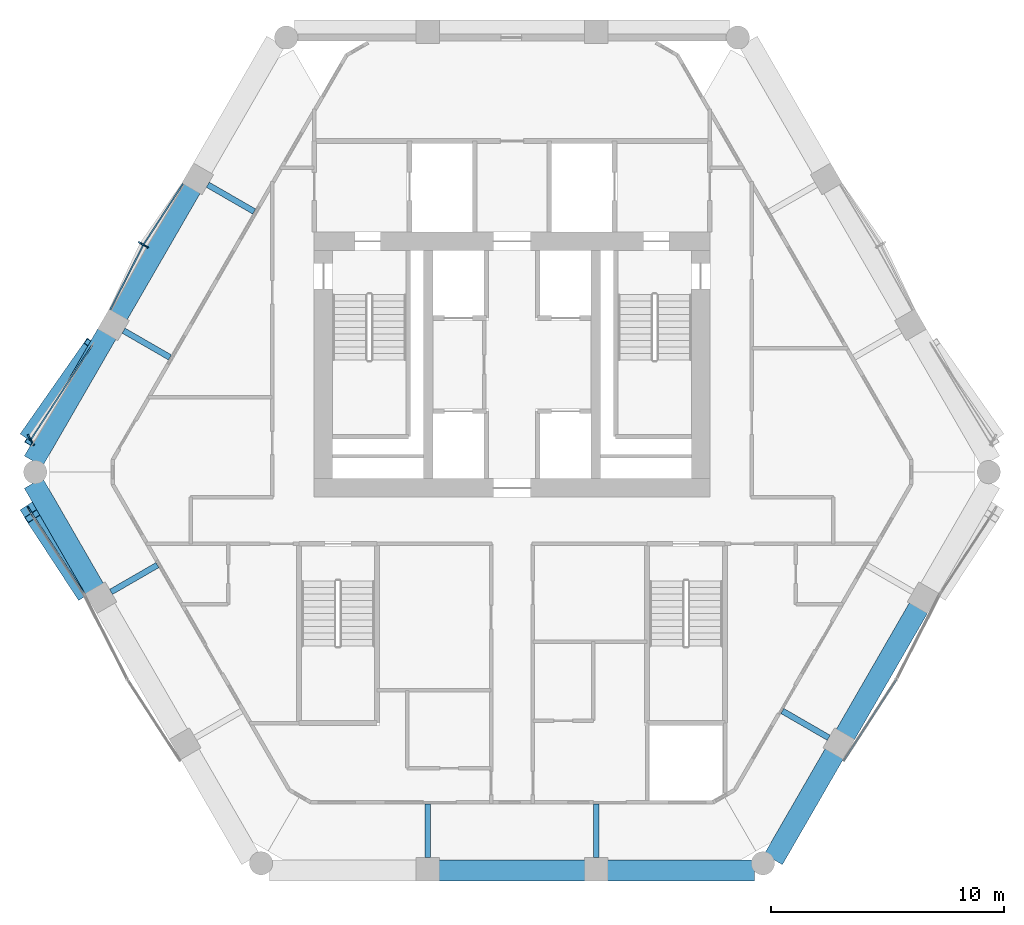
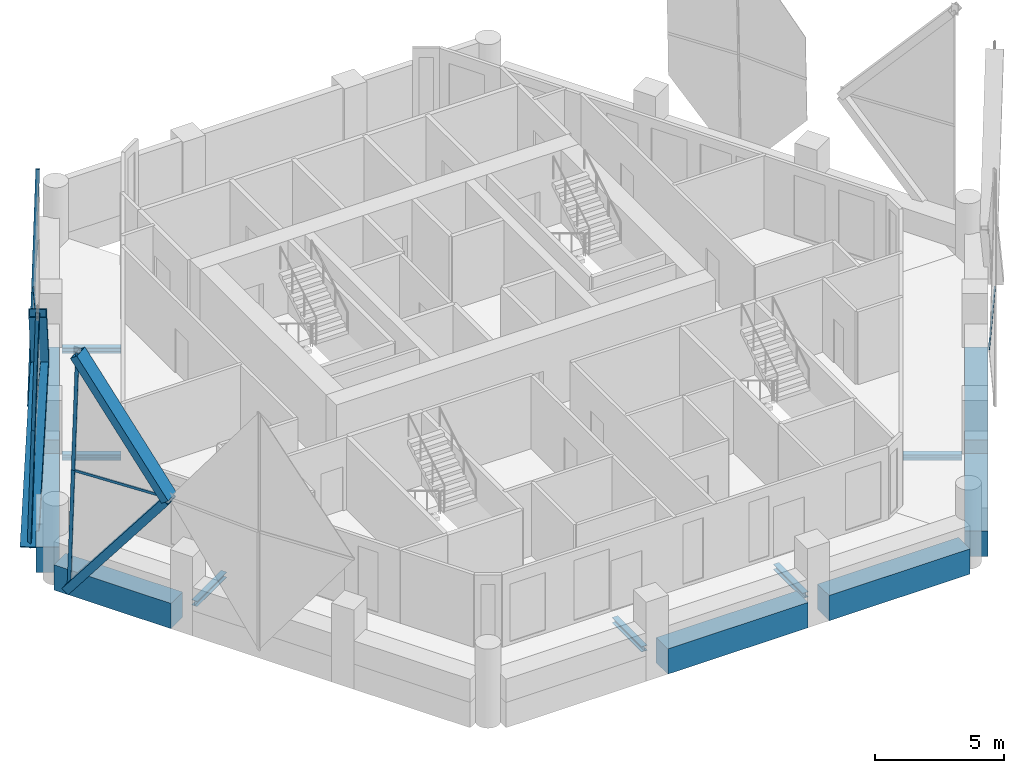
# One storey, part 3 of 13: 15 members, 13 beams, 5 elements without a shape of their own.
"""IFC4 building model written with IfcOpenShell, lengths in metres."""

from ifc_helpers import new_model, si_unit, direction, frame, origin, origin_2d, place, context, subcontext, project, spatial, rectangle, hollow_rectangle, i_section, extrude, material, material_profile, profile_set, type_object, element, aggregate, save


model = new_model("IFC4")

# Units and contexts
model_context = context("Model", 3, precision=1e-05, world=origin(), true_north=direction((0.0, 1.0)))
body_context = subcontext(model_context, "Body", "Model", "MODEL_VIEW")
ifc_project = project(units=[si_unit("LENGTHUNIT", "METRE"), si_unit("AREAUNIT", "SQUARE_METRE"), si_unit("VOLUMEUNIT", "CUBIC_METRE"), si_unit("PLANEANGLEUNIT", "RADIAN"), si_unit("MASSUNIT", "GRAM", prefix="KILO")], contexts=[model_context])

# Site, building, storey
site_placement = place(None, origin())
site = spatial("IfcSite", under=ifc_project, at=site_placement, CompositionType="ELEMENT")
building_placement = place(site_placement, origin())
building = spatial("IfcBuilding", under=site, at=building_placement, Name="Ostrander Bayou Hotel Tower", CompositionType="ELEMENT")
storey_placement = place(building_placement, frame((0.0, 0.0, 187.0)))
storey = spatial("IfcBuildingStorey", under=building, at=storey_placement, Name="L46", CompositionType="ELEMENT", Elevation=187.0)

# Curtain wall, members
ifc_material_1 = material(Name="Aluminium and clear glass", Category="aluminium")
curtain_wall_type = type_object("IfcCurtainWallType", Name="CW-LAT lattice glazing", PredefinedType="NOTDEFINED", material=ifc_material_1)
curtain_wall_1_placement = place(storey_placement, origin())
curtain_wall_1 = element("IfcCurtainWall", 1, at=curtain_wall_1_placement, inside=storey, type_object=curtain_wall_type, Name="CW-LAT L46 NW 1", PredefinedType="NOTDEFINED")
ifc_material_2 = material(Name="Aluminium", Category="aluminium")
ifc_material_profile_1 = material_profile(ifc_material_2, hollow_rectangle(XDim=0.06005859375, YDim=0.159912109375, WallThickness=0.00390625, at=origin_2d()))
ifc_profile_set_1 = profile_set([ifc_material_profile_1], Name="Aluminium")
member_type_1 = type_object("IfcMemberType", Name="CW-LA mullion 60 x 160 mm", PredefinedType="MULLION", material=ifc_profile_set_1)
member_1_placement = place(storey_placement, frame((-15.9765625, 9.22412109375, -0.60009765625), z_axis=(0.025206321475, -0.014577149769, 0.999575984136), x_axis=(0.500625085174, 0.86566420978, 0.0)))
member_1 = element("IfcMember", 2, at=member_1_placement, type_object=member_type_1, Name="CW-LAT mullion 1", PredefinedType="MULLION", context=body_context, shape_type="SweptSolid", body=[
    extrude(hollow_rectangle(XDim=0.06005859375, YDim=0.159912109375, WallThickness=0.00390625, at=origin_2d()), origin(), (0.0, 0.0, 1.0), 5.62744140625),
])
member_2_placement = place(storey_placement, frame((-15.834716796875, 9.14208984375, 5.02490234375), z_axis=(0.025162980484, -0.014533790452, 0.999577707509), x_axis=(0.500153222552, 0.865936922628, 0.0)))
member_2 = element("IfcMember", 3, at=member_2_placement, type_object=member_type_1, Name="CW-LAT mullion 2", PredefinedType="MULLION", context=body_context, shape_type="SweptSolid", body=[
    extrude(hollow_rectangle(XDim=0.06005859375, YDim=0.159912109375, WallThickness=0.00390625, at=origin_2d()), origin(), (0.0, 0.0, 1.0), 5.62744140625),
])
member_3_placement = place(storey_placement, frame((-20.765380859375, 0.9296875, -0.60009765625), z_axis=(0.01678741147, -0.029063477222, 0.999436589838), x_axis=(0.865927271564, 0.500169931485, 0.0)))
member_3 = element("IfcMember", 4, at=member_3_placement, type_object=member_type_1, Name="CW-LAT mullion 5", PredefinedType="MULLION", context=body_context, shape_type="SweptSolid", body=[
    extrude(hollow_rectangle(XDim=0.06005859375, YDim=0.159912109375, WallThickness=0.00390625, at=origin_2d()), origin(), (0.0, 0.0, 1.0), 5.628173828125),
])
member_4_placement = place(storey_placement, frame((-20.6708984375, 0.76611328125, 5.02490234375), z_axis=(0.01678739029, -0.029106818823, 0.999435328886), x_axis=(0.866250056381, 0.499610688256, 0.0)))
member_4 = element("IfcMember", 5, at=member_4_placement, type_object=member_type_1, Name="CW-LAT mullion 6", PredefinedType="MULLION", context=body_context, shape_type="SweptSolid", body=[
    extrude(hollow_rectangle(XDim=0.06005859375, YDim=0.159912109375, WallThickness=0.00390625, at=origin_2d()), origin(), (0.0, 0.0, 1.0), 5.628173828125),
])
aggregate(curtain_wall_1, [member_1, member_2, member_3, member_4])

curtain_wall_2_placement = place(storey_placement, origin())
curtain_wall_2 = element("IfcCurtainWall", 6, at=curtain_wall_2_placement, inside=storey, type_object=curtain_wall_type, Name="CW-LAT L46 SW 1", PredefinedType="NOTDEFINED")
member_5_placement = place(storey_placement, frame((-20.765380859375, -2.17333984375, -0.60009765625), z_axis=(0.01678741147, -0.029063477222, 0.999436589838), x_axis=(0.865927271564, 0.500169931485, 0.0)))
member_5 = element("IfcMember", 7, at=member_5_placement, type_object=member_type_1, Name="CW-LAT mullion 1", PredefinedType="MULLION", context=body_context, shape_type="SweptSolid", body=[
    extrude(hollow_rectangle(XDim=0.06005859375, YDim=0.159912109375, WallThickness=0.00390625, at=origin_2d()), origin(), (0.0, 0.0, 1.0), 5.628173828125),
])
member_6_placement = place(storey_placement, frame((-20.6708984375, -2.3369140625, 5.02490234375), z_axis=(0.01678739029, -0.029106818823, 0.999435328886), x_axis=(0.866250056381, 0.499610688256, 0.0)))
member_6 = element("IfcMember", 8, at=member_6_placement, type_object=member_type_1, Name="CW-LAT mullion 2", PredefinedType="MULLION", context=body_context, shape_type="SweptSolid", body=[
    extrude(hollow_rectangle(XDim=0.06005859375, YDim=0.159912109375, WallThickness=0.00390625, at=origin_2d()), origin(), (0.0, 0.0, 1.0), 5.628173828125),
])
aggregate(curtain_wall_2, [member_5, member_6])

curtain_wall_3_placement = place(storey_placement, origin())
curtain_wall_3 = element("IfcCurtainWall", 9, at=curtain_wall_3_placement, inside=storey, type_object=curtain_wall_type, Name="CW-LAT L46 NW 2", PredefinedType="NOTDEFINED")
ifc_material_3 = material(Name="Aluminium", Category="aluminium")
ifc_material_profile_2 = material_profile(ifc_material_3, hollow_rectangle(XDim=0.06005859375, YDim=0.1201171875, WallThickness=0.00390625, at=origin_2d()))
ifc_profile_set_2 = profile_set([ifc_material_profile_2], Name="Aluminium")
member_type_2 = type_object("IfcMemberType", Name="CW-LA transom 60 x 120 mm", PredefinedType="USERDEFINED", material=ifc_profile_set_2)
member_7_placement = place(storey_placement, frame((-15.834716796875, 9.14208984375, 5.02490234375), z_axis=(0.544136068225, 0.838996984057, 0.0), x_axis=(-0.838996984057, 0.544136068225, 0.0)))
member_7 = element("IfcMember", 10, at=member_7_placement, type_object=member_type_2, Name="CW-LAT transom 3", ObjectType="TRANSOM", PredefinedType="USERDEFINED", context=body_context, shape_type="SweptSolid", body=[
    extrude(hollow_rectangle(XDim=0.06005859375, YDim=0.1201171875, WallThickness=0.00390625, at=origin_2d()), origin(), (0.0, 0.0, 1.0), 3.122314453125),
])
member_8_placement = place(storey_placement, frame((-15.834716796875, 9.14208984375, 5.02490234375), z_axis=(-0.454486802988, -0.890753470894, 0.0), x_axis=(0.890753470894, -0.454486802988, 0.0)))
member_8 = element("IfcMember", 11, at=member_8_placement, type_object=member_type_2, Name="CW-LAT transom 4", ObjectType="TRANSOM", PredefinedType="USERDEFINED", context=body_context, shape_type="SweptSolid", body=[
    extrude(hollow_rectangle(XDim=0.06005859375, YDim=0.1201171875, WallThickness=0.00390625, at=origin_2d()), origin(), (0.0, 0.0, 1.0), 3.1220703125),
])
member_9_placement = place(storey_placement, frame((-20.6708984375, 0.76611328125, 5.02490234375), z_axis=(0.544243853201, 0.838927069687, 0.0), x_axis=(-0.838927069687, 0.544243853201, 0.0)))
member_9 = element("IfcMember", 12, at=member_9_placement, type_object=member_type_2, Name="CW-LAT transom 7", ObjectType="TRANSOM", PredefinedType="USERDEFINED", context=body_context, shape_type="SweptSolid", body=[
    extrude(hollow_rectangle(XDim=0.06005859375, YDim=0.1201171875, WallThickness=0.00390625, at=origin_2d()), origin(), (0.0, 0.0, 1.0), 4.842529296875),
])
aggregate(curtain_wall_3, [member_7, member_8, member_9])

# Curtain wall, member
curtain_wall_4_placement = place(storey_placement, origin())
curtain_wall_4 = element("IfcCurtainWall", 13, at=curtain_wall_4_placement, inside=storey, type_object=curtain_wall_type, Name="CW-LAT L46 SW 2", PredefinedType="NOTDEFINED")
member_10_placement = place(storey_placement, frame((-20.6708984375, -2.3369140625, 5.02490234375), z_axis=(0.545610899145, -0.838038630812, 0.0), x_axis=(0.838038630812, 0.545610899145, 0.0)))
member_10 = element("IfcMember", 14, at=member_10_placement, type_object=member_type_2, Name="CW-LAT transom 3", ObjectType="TRANSOM", PredefinedType="USERDEFINED", context=body_context, shape_type="SweptSolid", body=[
    extrude(hollow_rectangle(XDim=0.06005859375, YDim=0.1201171875, WallThickness=0.00390625, at=origin_2d()), origin(), (0.0, 0.0, 1.0), 4.161865234375),
])
aggregate(curtain_wall_4, [member_10])

curtain_wall_5_placement = place(storey_placement, origin())
curtain_wall_5 = element("IfcCurtainWall", 15, at=curtain_wall_5_placement, inside=storey, type_object=curtain_wall_type, Name="CW-LAT L46 SE 2", PredefinedType="NOTDEFINED")
member_11_placement = place(storey_placement, frame((16.51513671875, -9.534912109375, 5.02490234375), z_axis=(-0.545610899145, -0.838038630812, 0.0), x_axis=(0.838038630812, -0.545610899145, 0.0)))
member_11 = element("IfcMember", 16, at=member_11_placement, type_object=member_type_2, Name="CW-LAT transom 3", ObjectType="TRANSOM", PredefinedType="USERDEFINED", context=body_context, shape_type="SweptSolid", body=[
    extrude(hollow_rectangle(XDim=0.06005859375, YDim=0.1201171875, WallThickness=0.00390625, at=origin_2d()), origin(), (0.0, 0.0, 1.0), 4.161865234375),
])
aggregate(curtain_wall_5, [member_11])

# Beams
ifc_material_4 = material(Name="Steel ASTM A992", Category="steel")
ifc_material_profile_3 = material_profile(ifc_material_4, i_section(OverallWidth=0.25390625, OverallDepth=0.25341796875, WebThickness=0.008544921875, FlangeThickness=0.01416015625, at=origin_2d()))
ifc_profile_set_3 = profile_set([ifc_material_profile_3], Name="Steel ASTM A992")
beam_type_1 = type_object("IfcBeamType", Name="LB2 loggia bracket W10x49", PredefinedType="BEAM", material=ifc_profile_set_3)
for number, where, z_axis, x_axis, name in (
    (17, (-13.067626953125, 11.722412109375, -0.4267578125), (0.866053019151, -0.499952165731, 0.0), (0.499952165731, 0.866053019151, 0.0), "LB2 L46 NW1"),
    (18, (-16.685791015625, 5.455810546875, -0.4267578125), (0.866007057882, -0.500031774688, 0.0), (0.500031774688, 0.866007057882, 0.0), "LB2 L46 NW2"),
    (19, (-17.224365234375, -5.7666015625, -0.4267578125), (0.866053019151, 0.499952165731, 0.0), (-0.499952165731, 0.866053019151, 0.0), "LB2 L46 SW1"),
):
    element("IfcBeam", number, at=place(storey_placement, frame(where, z_axis=z_axis, x_axis=x_axis)), inside=storey, type_object=beam_type_1, Name=name, PredefinedType="BEAM", context=body_context, shape_type="SweptSolid", body=[
        extrude(i_section(OverallWidth=0.25390625, OverallDepth=0.25341796875, WebThickness=0.008544921875, FlangeThickness=0.01416015625, at=origin_2d()), origin(), (0.0, 0.0, 1.0), 2.300048828125),
    ])
for number, where, z_axis, x_axis, name in (
    (20, (-3.6181640625, -17.177978515625, -0.4267578125), (0.0, 1.0, 0.0), (-1.0, 0.0, 0.0), "LB2 L46 S1"),
    (21, (3.6181640625, -17.177978515625, -0.4267578125), (0.0, 1.0, 0.0), (-1.0, 0.0, 0.0), "LB2 L46 S2"),
    (22, (13.606201171875, -12.033203125, -0.4267578125), (-0.86602648383, 0.499998129301, 0.0), (-0.499998129301, -0.86602648383, 0.0), "LB2 L46 SE1"),
):
    element("IfcBeam", number, at=place(storey_placement, frame(where, z_axis=z_axis, x_axis=x_axis)), inside=storey, type_object=beam_type_1, Name=name, PredefinedType="BEAM", context=body_context, shape_type="SweptSolid", body=[
        extrude(i_section(OverallWidth=0.25390625, OverallDepth=0.25341796875, WebThickness=0.008544921875, FlangeThickness=0.01416015625, at=origin_2d()), origin(), (0.0, 0.0, 1.0), 2.2998046875),
    ])

# Members
ifc_material_5 = material(Name="Steel ASTM A572 Gr 50", Category="steel")
ifc_material_profile_4 = material_profile(ifc_material_5, hollow_rectangle(XDim=0.699951171875, YDim=0.35009765625, WallThickness=0.02490234375, at=origin_2d()))
ifc_profile_set_4 = profile_set([ifc_material_profile_4], Name="Steel ASTM A572 Gr 50")
member_type_3 = type_object("IfcMemberType", Name="LT1 lattice member box 700 x 350 x 25 mm", PredefinedType="BRACE", material=ifc_profile_set_4)
member_12_placement = place(storey_placement, frame((-18.035400390625, 4.82861328125, 5.02490234375), z_axis=(-0.370492532398, -0.52913304797, -0.763382932075), x_axis=(0.819159620943, -0.573565615616, 0.0)))
element("IfcMember", 23, at=member_12_placement, inside=storey, type_object=member_type_3, Name="LT1 L46 NW 1", PredefinedType="BRACE", context=body_context, shape_type="SweptSolid", body=[
    extrude(hollow_rectangle(XDim=0.699951171875, YDim=0.35009765625, WallThickness=0.02490234375, at=origin_2d()), origin(), (0.0, 0.0, 1.0), 7.368408203125),
])
member_13_placement = place(storey_placement, frame((-18.035400390625, 4.82861328125, 5.02490234375), z_axis=(-0.339681404235, -0.564971636118, 0.751946536662), x_axis=(0.857025162355, -0.515274558939, 0.0)))
element("IfcMember", 24, at=member_13_placement, inside=storey, type_object=member_type_3, Name="LT1 L46 NW 2", PredefinedType="BRACE", context=body_context, shape_type="SweptSolid", body=[
    extrude(hollow_rectangle(XDim=0.699951171875, YDim=0.35009765625, WallThickness=0.02490234375, at=origin_2d()), origin(), (0.0, 0.0, 1.0), 7.48046875),
])
member_14_placement = place(storey_placement, frame((-18.400146484375, -5.82470703125, 5.02490234375), z_axis=(-0.332612597638, 0.513475847469, -0.791019224772), x_axis=(-0.839299044374, -0.543670041582, 0.0)))
element("IfcMember", 25, at=member_14_placement, inside=storey, type_object=member_type_3, Name="LT1 L46 SW 1", PredefinedType="BRACE", context=body_context, shape_type="SweptSolid", body=[
    extrude(hollow_rectangle(XDim=0.699951171875, YDim=0.35009765625, WallThickness=0.02490234375, at=origin_2d()), origin(), (0.0, 0.0, 1.0), 7.111083984375),
])
member_15_placement = place(storey_placement, frame((-18.400146484375, -5.82470703125, 5.02490234375), z_axis=(-0.316014019946, 0.482671178098, 0.816800877222), x_axis=(-0.836634955829, -0.547760851727, 0.0)))
element("IfcMember", 26, at=member_15_placement, inside=storey, type_object=member_type_3, Name="LT1 L46 SW 2", PredefinedType="BRACE", context=body_context, shape_type="SweptSolid", body=[
    extrude(hollow_rectangle(XDim=0.699951171875, YDim=0.35009765625, WallThickness=0.02490234375, at=origin_2d()), origin(), (0.0, 0.0, 1.0), 6.88671875),
])

# Beams
ifc_material_6 = material(Name="Concrete f'c 60 MPa", Category="concrete")
ifc_material_profile_5 = material_profile(ifc_material_6, rectangle(XDim=0.89990234375, YDim=1.199951171875, at=origin_2d()))
ifc_profile_set_5 = profile_set([ifc_material_profile_5], Name="Concrete f'c 60 MPa")
beam_type_2 = type_object("IfcBeamType", Name="SP3 spandrel beam 900 x 1200 mm f'c 60 MPa", PredefinedType="SPANDREL", material=ifc_profile_set_5)
beam_1_placement = place(storey_placement, frame((-13.779052734375, 11.59033203125, -0.60009765625), z_axis=(-0.499984268907, -0.866034485945, 0.0), x_axis=(0.866034485945, -0.499984268907, 0.0)))
element("IfcBeam", 27, at=beam_1_placement, inside=storey, type_object=beam_type_2, Name="SP3 L46 NW-2", PredefinedType="SPANDREL", context=body_context, shape_type="SweptSolid", body=[
    extrude(rectangle(XDim=0.89990234375, YDim=1.199951171875, at=origin_2d()), origin(), (0.0, 0.0, 1.0), 6.296142578125),
])
beam_2_placement = place(storey_placement, frame((-17.39697265625, 5.32373046875, -0.60009765625), z_axis=(-0.500017688138, -0.866015191293, 0.0), x_axis=(0.866015191293, -0.500017688138, 0.0)))
element("IfcBeam", 28, at=beam_2_placement, inside=storey, type_object=beam_type_2, Name="SP3 L46 NW-3", PredefinedType="SPANDREL", context=body_context, shape_type="SweptSolid", body=[
    extrude(rectangle(XDim=0.89990234375, YDim=1.199951171875, at=origin_2d()), origin(), (0.0, 0.0, 1.0), 6.322998046875),
])
beam_3_placement = place(storey_placement, frame((-20.55859375, -1.091552734375, -0.60009765625), z_axis=(0.500023253097, -0.866011978186, 0.0), x_axis=(0.866011978186, 0.500023253097, 0.0)))
element("IfcBeam", 29, at=beam_3_placement, inside=storey, type_object=beam_type_2, Name="SP3 L46 SW-1", PredefinedType="SPANDREL", context=body_context, shape_type="SweptSolid", body=[
    extrude(rectangle(XDim=0.89990234375, YDim=1.199951171875, at=origin_2d()), origin(), (0.0, 0.0, 1.0), 5.245849609375),
])
beam_4_placement = place(storey_placement, frame((-3.148193359375, -17.72802734375, -0.60009765625), z_axis=(1.0, 0.0, 0.0), x_axis=(0.0, 1.0, 0.0)))
element("IfcBeam", 30, at=beam_4_placement, inside=storey, type_object=beam_type_2, Name="SP3 L46 S-2", PredefinedType="SPANDREL", context=body_context, shape_type="SweptSolid", body=[
    extrude(rectangle(XDim=0.89990234375, YDim=1.199951171875, at=origin_2d()), origin(), (0.0, 0.0, 1.0), 6.29638671875),
])
beam_5_placement = place(storey_placement, frame((4.088134765625, -17.72802734375, -0.60009765625), z_axis=(1.0, 0.0, 0.0), x_axis=(0.0, 1.0, 0.0)))
element("IfcBeam", 31, at=beam_5_placement, inside=storey, type_object=beam_type_2, Name="SP3 L46 S-3", PredefinedType="SPANDREL", context=body_context, shape_type="SweptSolid", body=[
    extrude(rectangle(XDim=0.89990234375, YDim=1.199951171875, at=origin_2d()), origin(), (0.0, 0.0, 1.0), 6.32275390625),
])
beam_6_placement = place(storey_placement, frame((11.224609375, -17.25830078125, -0.60009765625), z_axis=(0.499988348136, 0.866032130887, 0.0), x_axis=(-0.866032130887, 0.499988348136, 0.0)))
element("IfcBeam", 32, at=beam_6_placement, inside=storey, type_object=beam_type_2, Name="SP3 L46 SE-1", PredefinedType="SPANDREL", context=body_context, shape_type="SweptSolid", body=[
    extrude(rectangle(XDim=0.89990234375, YDim=1.199951171875, at=origin_2d()), origin(), (0.0, 0.0, 1.0), 5.245849609375),
])
beam_7_placement = place(storey_placement, frame((14.3173828125, -11.9013671875, -0.60009765625), z_axis=(0.500013351051, 0.866017695414, 0.0), x_axis=(-0.866017695414, 0.500013351051, 0.0)))
element("IfcBeam", 33, at=beam_7_placement, inside=storey, type_object=beam_type_2, Name="SP3 L46 SE-2", PredefinedType="SPANDREL", context=body_context, shape_type="SweptSolid", body=[
    extrude(rectangle(XDim=0.89990234375, YDim=1.199951171875, at=origin_2d()), origin(), (0.0, 0.0, 1.0), 6.296142578125),
])

save(model, "model.ifc")
